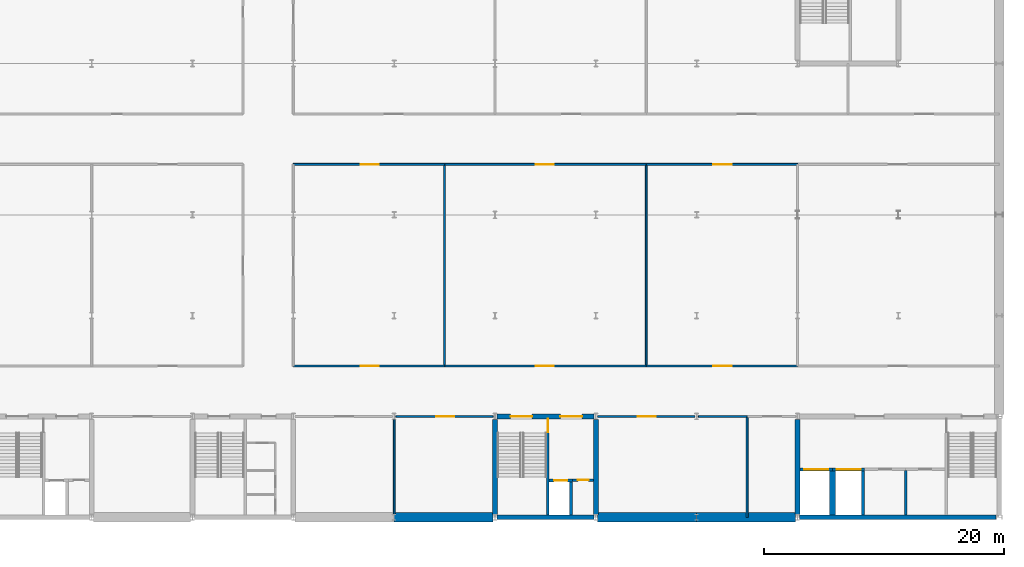
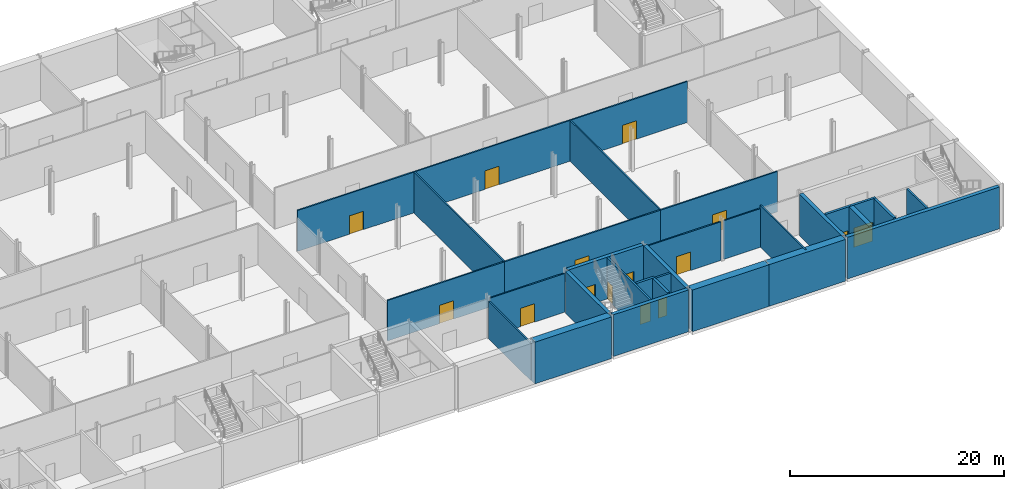
# One storey, part 14 of 20: 31 walls, 15 doors, 15 openings.
"""IFC4 building model written with IfcOpenShell, lengths in metres."""

from ifc_helpers import new_model, si_unit, direction, frame, frame_2d, origin, place, context, subcontext, project, spatial, rectangle, extrude, material, layer, layer_set, type_object, element, fill, save


model = new_model("IFC4")

# Units and contexts
model_context = context("Model", 3, precision=1e-05, world=origin(), true_north=direction((0.0, 1.0)))
body_context = subcontext(model_context, "Body", "Model", "MODEL_VIEW")
ifc_project = project(units=[si_unit("LENGTHUNIT", "METRE"), si_unit("AREAUNIT", "SQUARE_METRE"), si_unit("VOLUMEUNIT", "CUBIC_METRE"), si_unit("PLANEANGLEUNIT", "RADIAN"), si_unit("MASSUNIT", "GRAM", prefix="KILO")], contexts=[model_context])

# Site, building, storey
site_placement = place(None, origin())
site = spatial("IfcSite", under=ifc_project, at=site_placement, CompositionType="ELEMENT")
building_placement = place(site_placement, origin())
building = spatial("IfcBuilding", under=site, at=building_placement, Name="Galleria Vessillo Department Store", CompositionType="ELEMENT")
storey_placement = place(building_placement, frame((0.0, 0.0, -4.89990234375)))
storey = spatial("IfcBuildingStorey", under=building, at=storey_placement, Name="B1", CompositionType="ELEMENT", Elevation=-4.89990234375)

# Walls
ifc_material_1 = material(Name="Concrete C32/40 reinforced", Category="concrete")
ifc_layer_1 = layer(ifc_material_1, 0.800048828125)
ifc_layer_set_1 = layer_set([ifc_layer_1], Name="Concrete C32/40 reinforced")
wall_type_1 = type_object("IfcWallType", Name="Diaphragm wall 800 mm", PredefinedType="SOLIDWALL", material=ifc_layer_set_1)
wall_1_placement = place(storey_placement, frame((67.199951171875, 0.0, 0.0), z_axis=(0.0, 0.0, 1.0), x_axis=(1.0, 0.0, 0.0)))
element("IfcWall", 1, at=wall_1_placement, inside=storey, type_object=wall_type_1, Name="S-BW-S-B1-06", PredefinedType="SOLIDWALL", context=body_context, shape_type="SweptSolid", body=[
    extrude(rectangle(XDim=8.250244140625, YDim=0.800048828125, at=frame_2d((4.125, 0.0))), origin(), (0.0, 0.0, 1.0), 4.75),
])
wall_2_placement = place(storey_placement, frame((84.14990234375, 0.0, 0.0), z_axis=(0.0, 0.0, 1.0), x_axis=(1.0, 0.0, 0.0)))
element("IfcWall", 2, at=wall_2_placement, inside=storey, type_object=wall_type_1, Name="S-BW-S-B1-07", PredefinedType="SOLIDWALL", context=body_context, shape_type="SweptSolid", body=[
    extrude(rectangle(XDim=8.25, YDim=0.800048828125, at=frame_2d((4.125, 0.0))), origin(), (0.0, 0.0, 1.0), 4.75),
])
wall_3_placement = place(storey_placement, frame((92.39990234375, 0.0, 0.0), z_axis=(0.0, 0.0, 1.0), x_axis=(1.0, 0.0, 0.0)))
element("IfcWall", 3, at=wall_3_placement, inside=storey, type_object=wall_type_1, Name="S-BW-S-B1-08", PredefinedType="SOLIDWALL", context=body_context, shape_type="SweptSolid", body=[
    extrude(rectangle(XDim=8.250244140625, YDim=0.800048828125, at=frame_2d((4.125, 0.0))), origin(), (0.0, 0.0, 1.0), 4.75),
])
ifc_material_2 = material(Name="Solid clay block masonry", Category="masonry")
ifc_layer_2 = layer(ifc_material_2, 0.5)
ifc_layer_set_2 = layer_set([ifc_layer_2], Name="Solid clay block masonry")
wall_type_2 = type_object("IfcWallType", Name="Lift shaft partition wall 500 mm", PredefinedType="SOLIDWALL", material=ifc_layer_set_2)
wall_4_placement = place(storey_placement, frame((103.699951171875, 0.199951171875, 0.0), z_axis=(0.0, 0.0, 1.0), x_axis=(0.0, 1.0, 0.0)))
element("IfcWall", 4, at=wall_4_placement, inside=storey, type_object=wall_type_2, Name="Lift shaft partition wall GL1 B1", PredefinedType="SOLIDWALL", context=body_context, shape_type="SweptSolid", body=[
    extrude(rectangle(XDim=3.650146484375, YDim=0.5, at=frame_2d((1.8251953125, 0.0))), origin(), (0.0, 0.0, 1.0), 4.89990234375),
])

# Wall, opening, door
ifc_material_3 = material(Name="Solid clay block masonry", Category="masonry")
ifc_layer_3 = layer(ifc_material_3, 0.25)
ifc_layer_set_3 = layer_set([ifc_layer_3], Name="Solid clay block masonry")
wall_type_3 = type_object("IfcWallType", Name="Lift shaft wall 250 mm", PredefinedType="SOLIDWALL", material=ifc_layer_set_3)
wall_5_placement = place(storey_placement, frame((80.10009765625, 3.074951171875, 0.0), z_axis=(0.0, 0.0, 1.0), x_axis=(1.0, 0.0, 0.0)))
wall_5 = element("IfcWall", 5, at=wall_5_placement, inside=storey, type_object=wall_type_3, Name="Lift shaft wall LP5 landing side B1", PredefinedType="SOLIDWALL", context=body_context, shape_type="SweptSolid", body=[
    extrude(rectangle(XDim=1.949951171875, YDim=0.25, at=frame_2d((0.97509765625, 0.0))), origin(), (0.0, 0.0, 1.0), 4.89990234375),
])
opening_1_placement = place(wall_5_placement, frame((0.4248046875, 0.0, 0.0)))
opening_1 = element("IfcOpeningElement", 6, at=opening_1_placement, cuts=wall_5, Name="Opening LD034", PredefinedType="OPENING", context=body_context, shape_type="SweptSolid", body=[
    extrude(rectangle(XDim=1.10009765625, YDim=2.10009765625, at=frame_2d((0.550048828125, 1.050048828125))), frame((0.0, 0.135009765625, 0.0), z_axis=(0.0, -1.0, 0.0), x_axis=(1.0, 0.0, 0.0)), (0.0, 0.0, 1.0), 0.27001953125),
])
ifc_material_4 = material(Name="Stainless steel lift door panel", Category="steel")
door_type_1 = type_object("IfcDoorType", Name="Lift landing door LD110 sliding 1100 x 2100", OperationType="SLIDING_TO_LEFT", PredefinedType="DOOR", material=ifc_material_4)
door_1_placement = place(opening_1_placement, origin())
door_1 = element("IfcDoor", 7, at=door_1_placement, inside=storey, type_object=door_type_1, Name="Lift landing door LP5 B1", OperationType="SLIDING_TO_LEFT", OverallHeight=2.10009765625, OverallWidth=1.10009765625, PredefinedType="DOOR", context=body_context, shape_type="SweptSolid", body=[
    extrude(rectangle(XDim=1.10009765625, YDim=2.10009765625, at=frame_2d((0.550048828125, 1.050048828125))), frame((0.0, 0.02490234375, 0.0), z_axis=(0.0, -1.0, 0.0), x_axis=(1.0, 0.0, 0.0)), (0.0, 0.0, 1.0), 0.050048828125),
])
fill(opening_1, door_1)

# Wall
wall_6_placement = place(storey_placement, frame((81.925048828125, 0.199951171875, 0.0), z_axis=(0.0, 0.0, 1.0), x_axis=(0.0, 1.0, 0.0)))
element("IfcWall", 8, at=wall_6_placement, inside=storey, type_object=wall_type_3, Name="Lift shaft wall LP5 B1", PredefinedType="SOLIDWALL", context=body_context, shape_type="SweptSolid", body=[
    extrude(rectangle(XDim=2.75, YDim=0.25, at=frame_2d((1.375, 0.0))), origin(), (0.0, 0.0, 1.0), 4.89990234375),
])

# Wall, opening, door
wall_7_placement = place(storey_placement, frame((101.0, 3.97509765625, 0.0), z_axis=(0.0, 0.0, 1.0), x_axis=(1.0, 0.0, 0.0)))
wall_7 = element("IfcWall", 9, at=wall_7_placement, inside=storey, type_object=wall_type_3, Name="Lift shaft wall GL1 landing side B1", PredefinedType="SOLIDWALL", context=body_context, shape_type="SweptSolid", body=[
    extrude(rectangle(XDim=2.699951171875, YDim=0.25, at=frame_2d((1.35009765625, 0.0))), origin(), (0.0, 0.0, 1.0), 4.89990234375),
])
opening_2_placement = place(wall_7_placement, frame((0.35009765625, 0.0, 0.0)))
opening_2 = element("IfcOpeningElement", 10, at=opening_2_placement, cuts=wall_7, Name="Opening LD051", PredefinedType="OPENING", context=body_context, shape_type="SweptSolid", body=[
    extrude(rectangle(XDim=2.0, YDim=2.199951171875, at=frame_2d((1.0, 1.10009765625))), frame((0.0, 0.135009765625, 0.0), z_axis=(0.0, -1.0, 0.0), x_axis=(1.0, 0.0, 0.0)), (0.0, 0.0, 1.0), 0.27001953125),
])
ifc_material_5 = material(Name="Stainless steel lift door panel", Category="steel")
door_type_2 = type_object("IfcDoorType", Name="Lift landing door LD200 sliding 2000 x 2200", OperationType="DOUBLE_DOOR_SLIDING", PredefinedType="DOOR", material=ifc_material_5)
door_2_placement = place(opening_2_placement, origin())
door_2 = element("IfcDoor", 11, at=door_2_placement, inside=storey, type_object=door_type_2, Name="Lift landing door GL1 B1", OperationType="DOUBLE_DOOR_SLIDING", OverallHeight=2.199951171875, OverallWidth=2.0, PredefinedType="DOOR", context=body_context, shape_type="SweptSolid", body=[
    extrude(rectangle(XDim=2.0, YDim=2.199951171875, at=frame_2d((1.0, 1.10009765625))), frame((0.0, 0.02490234375, 0.0), z_axis=(0.0, -1.0, 0.0), x_axis=(1.0, 0.0, 0.0)), (0.0, 0.0, 1.0), 0.050048828125),
])
fill(opening_2, door_2)

wall_8_placement = place(storey_placement, frame((103.699951171875, 3.97509765625, 0.0), z_axis=(0.0, 0.0, 1.0), x_axis=(1.0, 0.0, 0.0)))
wall_8 = element("IfcWall", 12, at=wall_8_placement, inside=storey, type_object=wall_type_3, Name="Lift shaft wall GL2 landing side B1", PredefinedType="SOLIDWALL", context=body_context, shape_type="SweptSolid", body=[
    extrude(rectangle(XDim=2.699951171875, YDim=0.25, at=frame_2d((1.35009765625, 0.0))), origin(), (0.0, 0.0, 1.0), 4.89990234375),
])
opening_3_placement = place(wall_8_placement, frame((0.35009765625, 0.0, 0.0)))
opening_3 = element("IfcOpeningElement", 13, at=opening_3_placement, cuts=wall_8, Name="Opening LD052", PredefinedType="OPENING", context=body_context, shape_type="SweptSolid", body=[
    extrude(rectangle(XDim=2.0, YDim=2.199951171875, at=frame_2d((1.0, 1.10009765625))), frame((0.0, 0.135009765625, 0.0), z_axis=(0.0, -1.0, 0.0), x_axis=(1.0, 0.0, 0.0)), (0.0, 0.0, 1.0), 0.27001953125),
])
door_3_placement = place(opening_3_placement, origin())
door_3 = element("IfcDoor", 14, at=door_3_placement, inside=storey, type_object=door_type_2, Name="Lift landing door GL2 B1", OperationType="DOUBLE_DOOR_SLIDING", OverallHeight=2.199951171875, OverallWidth=2.0, PredefinedType="DOOR", context=body_context, shape_type="SweptSolid", body=[
    extrude(rectangle(XDim=2.0, YDim=2.199951171875, at=frame_2d((1.0, 1.10009765625))), frame((0.0, 0.02490234375, 0.0), z_axis=(0.0, -1.0, 0.0), x_axis=(1.0, 0.0, 0.0)), (0.0, 0.0, 1.0), 0.050048828125),
])
fill(opening_3, door_3)

# Wall
wall_9_placement = place(storey_placement, frame((106.27490234375, 0.199951171875, 0.0), z_axis=(0.0, 0.0, 1.0), x_axis=(0.0, 1.0, 0.0)))
element("IfcWall", 15, at=wall_9_placement, inside=storey, type_object=wall_type_3, Name="Lift shaft wall GL2 B1", PredefinedType="SOLIDWALL", context=body_context, shape_type="SweptSolid", body=[
    extrude(rectangle(XDim=3.650146484375, YDim=0.25, at=frame_2d((1.8251953125, 0.0))), origin(), (0.0, 0.0, 1.0), 4.89990234375),
])

# Wall, openings, doors
ifc_material_6 = material(Name="Concrete C32/40 reinforced", Category="concrete")
ifc_layer_4 = layer(ifc_material_6, 0.39990234375)
ifc_layer_set_4 = layer_set([ifc_layer_4], Name="Concrete C32/40 reinforced")
wall_type_4 = type_object("IfcWallType", Name="Reinforced concrete core wall 400 mm", PredefinedType="SHEAR", material=ifc_layer_set_4)
wall_10_placement = place(storey_placement, frame((75.75, 8.39990234375, 0.0), z_axis=(0.0, 0.0, 1.0), x_axis=(1.0, 0.0, 0.0)))
wall_10 = element("IfcWall", 16, at=wall_10_placement, inside=storey, type_object=wall_type_4, Name="S-CW-PC-SE-INTERIOR-B1", PredefinedType="SHEAR", context=body_context, shape_type="SweptSolid", body=[
    extrude(rectangle(XDim=8.10009765625, YDim=0.39990234375, at=frame_2d((4.050048828125, 0.0))), origin(), (0.0, 0.0, 1.0), 4.75),
])
opening_4_placement = place(wall_10_placement, frame((1.14990234375, 0.0, 0.0)))
opening_4 = element("IfcOpeningElement", 17, at=opening_4_placement, cuts=wall_10, Name="Opening D5133", PredefinedType="OPENING", context=body_context, shape_type="SweptSolid", body=[
    extrude(rectangle(XDim=1.800048828125, YDim=2.10009765625, at=frame_2d((0.89990234375, 1.050048828125))), frame((0.0, 0.2099609375, 0.0), z_axis=(0.0, -1.0, 0.0), x_axis=(1.0, 0.0, 0.0)), (0.0, 0.0, 1.0), 0.419921875),
])
opening_5_placement = place(wall_10_placement, frame((5.2998046875, 0.0, 0.0)))
opening_5 = element("IfcOpeningElement", 18, at=opening_5_placement, cuts=wall_10, Name="Opening D5134", PredefinedType="OPENING", context=body_context, shape_type="SweptSolid", body=[
    extrude(rectangle(XDim=1.800048828125, YDim=2.10009765625, at=frame_2d((0.89990234375, 1.050048828125))), frame((0.0, 0.2099609375, 0.0), z_axis=(0.0, -1.0, 0.0), x_axis=(1.0, 0.0, 0.0)), (0.0, 0.0, 1.0), 0.419921875),
])
ifc_material_7 = material(Name="Fire-rated steel door leaf", Category="steel")
door_type_3 = type_object("IfcDoorType", Name="Door D180F double leaf 1800 x 2100", OperationType="DOUBLE_DOOR_SINGLE_SWING", PredefinedType="DOOR", material=ifc_material_7)
door_4_placement = place(opening_4_placement, frame((1.800048828125, 0.0, 0.0), z_axis=(0.0, 0.0, 1.0), x_axis=(-1.0, 0.0, 0.0)))
door_4 = element("IfcDoor", 19, at=door_4_placement, inside=storey, type_object=door_type_3, Name="Lobby door PC-SE-ST-FLOOR B1", OperationType="DOUBLE_DOOR_SINGLE_SWING", OverallHeight=2.10009765625, OverallWidth=1.800048828125, PredefinedType="DOOR", context=body_context, shape_type="SweptSolid", body=[
    extrude(rectangle(XDim=1.800048828125, YDim=2.10009765625, at=frame_2d((0.89990234375, 1.050048828125))), frame((0.0, 0.02490234375, 0.0), z_axis=(0.0, -1.0, 0.0), x_axis=(1.0, 0.0, 0.0)), (0.0, 0.0, 1.0), 0.050048828125),
])
fill(opening_4, door_4)
door_5_placement = place(opening_5_placement, origin())
door_5 = element("IfcDoor", 20, at=door_5_placement, inside=storey, type_object=door_type_3, Name="Lobby door PC-SE-LOBBY-FLOOR B1", OperationType="DOUBLE_DOOR_SINGLE_SWING", OverallHeight=2.10009765625, OverallWidth=1.800048828125, PredefinedType="DOOR", context=body_context, shape_type="SweptSolid", body=[
    extrude(rectangle(XDim=1.800048828125, YDim=2.10009765625, at=frame_2d((0.89990234375, 1.050048828125))), frame((0.0, 0.02490234375, 0.0), z_axis=(0.0, -1.0, 0.0), x_axis=(1.0, 0.0, 0.0)), (0.0, 0.0, 1.0), 0.050048828125),
])
fill(opening_5, door_5)

# Walls
for number, where, z_axis, x_axis, name in (
    (21, (75.60009765625, 0.25, 0.0), (0.0, 0.0, 1.0), (0.0, 1.0, 0.0), "S-CW-PC-SE-WEST-B1"),
    (22, (84.0, 0.25, 0.0), (0.0, 0.0, 1.0), (0.0, 1.0, 0.0), "S-CW-PC-SE-EAST-B1"),
    (23, (100.800048828125, 0.25, 0.0), (0.0, 0.0, 1.0), (0.0, 1.0, 0.0), "S-CW-GC-WEST-B1"),
):
    element("IfcWall", number, at=place(storey_placement, frame(where, z_axis=z_axis, x_axis=x_axis)), inside=storey, type_object=wall_type_4, Name=name, PredefinedType="SHEAR", context=body_context, shape_type="SweptSolid", body=[
        extrude(rectangle(XDim=7.89990234375, YDim=0.39990234375, at=frame_2d((3.949951171875, 0.0))), origin(), (0.0, 0.0, 1.0), 4.75),
    ])
ifc_material_8 = material(Name="Concrete C32/40 reinforced", Category="concrete")
ifc_layer_5 = layer(ifc_material_8, 0.39990234375)
ifc_layer_set_5 = layer_set([ifc_layer_5], Name="Concrete C32/40 reinforced")
wall_type_5 = type_object("IfcWallType", Name="Reinforced concrete core wall 400 mm, external", PredefinedType="SHEAR", material=ifc_layer_set_5)
wall_11_placement = place(storey_placement, frame((75.75, 0.0, 0.0), z_axis=(0.0, 0.0, 1.0), x_axis=(1.0, 0.0, 0.0)))
element("IfcWall", 24, at=wall_11_placement, inside=storey, type_object=wall_type_5, Name="S-CW-PC-SE-PARTY-B1", PredefinedType="SHEAR", context=body_context, shape_type="SweptSolid", body=[
    extrude(rectangle(XDim=8.10009765625, YDim=0.39990234375, at=frame_2d((4.050048828125, 0.0))), origin(), (0.0, 0.0, 1.0), 4.75),
])
wall_12_placement = place(storey_placement, frame((100.949951171875, 0.0, 0.0), z_axis=(0.0, 0.0, 1.0), x_axis=(1.0, 0.0, 0.0)))
element("IfcWall", 25, at=wall_12_placement, inside=storey, type_object=wall_type_5, Name="S-CW-GC-PARTY-B1", PredefinedType="SHEAR", context=body_context, shape_type="SweptSolid", body=[
    extrude(rectangle(XDim=16.400146484375, YDim=0.39990234375, at=frame_2d((8.2001953125, 0.0))), origin(), (0.0, 0.0, 1.0), 4.75),
])

# Wall, opening, door
ifc_material_9 = material(Name="Concrete C32/40 reinforced", Category="concrete")
ifc_layer_6 = layer(ifc_material_9, 0.199951171875)
ifc_layer_set_6 = layer_set([ifc_layer_6], Name="Concrete C32/40 reinforced")
wall_type_6 = type_object("IfcWallType", Name="Reinforced concrete stair enclosure wall 200 mm", PredefinedType="SHEAR", material=ifc_layer_set_6)
wall_13_placement = place(storey_placement, frame((80.0, 0.199951171875, 0.0), z_axis=(0.0, 0.0, 1.0), x_axis=(0.0, 1.0, 0.0)))
wall_13 = element("IfcWall", 26, at=wall_13_placement, inside=storey, type_object=wall_type_6, Name="Stair enclosure wall PC-SE B1", PredefinedType="SHEAR", context=body_context, shape_type="SweptSolid", body=[
    extrude(rectangle(XDim=8.0, YDim=0.199951171875, at=frame_2d((4.0, 0.0))), origin(), (0.0, 0.0, 1.0), 4.75),
])
opening_6_placement = place(wall_13_placement, frame((6.89990234375, 0.0, 0.0)))
opening_6 = element("IfcOpeningElement", 27, at=opening_6_placement, cuts=wall_13, Name="Opening D5131", PredefinedType="OPENING", context=body_context, shape_type="SweptSolid", body=[
    extrude(rectangle(XDim=1.11009765625, YDim=2.10009765625, at=frame_2d((0.554931640625, 1.050048828125))), frame((0.0, 0.10986328125, 0.0), z_axis=(0.0, -1.0, 0.0), x_axis=(1.0, 0.0, 0.0)), (0.0, 0.0, 1.0), 0.219970703125),
])
ifc_material_10 = material(Name="Fire-rated steel door leaf", Category="steel")
door_type_4 = type_object("IfcDoorType", Name="Door D110F stair door 1100 x 2100", OperationType="SINGLE_SWING_LEFT", PredefinedType="DOOR", material=ifc_material_10)
door_6_placement = place(opening_6_placement, origin())
door_6 = element("IfcDoor", 28, at=door_6_placement, inside=storey, type_object=door_type_4, Name="Stair door PC-SE-ST-LOBBY B1", OperationType="SINGLE_SWING_RIGHT", OverallHeight=2.10009765625, OverallWidth=1.10009765625, PredefinedType="DOOR", context=body_context, shape_type="SweptSolid", body=[
    extrude(rectangle(XDim=1.10009765625, YDim=2.10009765625, at=frame_2d((0.550048828125, 1.050048828125))), frame((0.0, 0.02490234375, 0.0), z_axis=(0.0, -1.0, 0.0), x_axis=(1.0, 0.0, 0.0)), (0.0, 0.0, 1.0), 0.050048828125),
])
fill(opening_6, door_6)

ifc_material_11 = material(Name="Hollow clay block masonry", Category="masonry")
ifc_layer_7 = layer(ifc_material_11, 0.199951171875)
ifc_layer_set_7 = layer_set([ifc_layer_7], Name="Hollow clay block masonry")
wall_type_7 = type_object("IfcWallType", Name="Riser and service room wall 200 mm", PredefinedType="PARTITIONING", material=ifc_layer_set_7)
wall_14_placement = place(storey_placement, frame((82.050048828125, 3.099853515625, 0.0), z_axis=(0.0, 0.0, 1.0), x_axis=(1.0, 0.0, 0.0)))
wall_14 = element("IfcWall", 29, at=wall_14_placement, inside=storey, type_object=wall_type_7, Name="Riser wall PC-SE-RISER B1", PredefinedType="PARTITIONING", context=body_context, shape_type="SweptSolid", body=[
    extrude(rectangle(XDim=1.75, YDim=0.199951171875, at=frame_2d((0.875, 0.0))), origin(), (0.0, 0.0, 1.0), 4.75),
])
opening_7_placement = place(wall_14_placement, frame((0.449951171875, 0.0, 0.0)))
opening_7 = element("IfcOpeningElement", 30, at=opening_7_placement, cuts=wall_14, Name="Opening D5132", PredefinedType="OPENING", context=body_context, shape_type="SweptSolid", body=[
    extrude(rectangle(XDim=0.89990234375, YDim=2.10009765625, at=frame_2d((0.449951171875, 1.050048828125))), frame((0.0, 0.10986328125, 0.0), z_axis=(0.0, -1.0, 0.0), x_axis=(1.0, 0.0, 0.0)), (0.0, 0.0, 1.0), 0.219970703125),
])
ifc_material_12 = material(Name="Fire-rated steel door leaf", Category="steel")
door_type_5 = type_object("IfcDoorType", Name="Door DR90 riser access 900 x 2100", OperationType="SINGLE_SWING_LEFT", PredefinedType="DOOR", material=ifc_material_12)
door_7_placement = place(opening_7_placement, frame((0.89990234375, 0.0, 0.0), z_axis=(0.0, 0.0, 1.0), x_axis=(-1.0, 0.0, 0.0)))
door_7 = element("IfcDoor", 31, at=door_7_placement, inside=storey, type_object=door_type_5, Name="Riser door PC-SE-RISER-D B1", OperationType="SINGLE_SWING_LEFT", OverallHeight=2.10009765625, OverallWidth=0.89990234375, PredefinedType="DOOR", context=body_context, shape_type="SweptSolid", body=[
    extrude(rectangle(XDim=0.89990234375, YDim=2.10009765625, at=frame_2d((0.449951171875, 1.050048828125))), frame((0.0, 0.02490234375, 0.0), z_axis=(0.0, -1.0, 0.0), x_axis=(1.0, 0.0, 0.0)), (0.0, 0.0, 1.0), 0.050048828125),
])
fill(opening_7, door_7)

# Wall
wall_15_placement = place(storey_placement, frame((109.800048828125, 0.199951171875, 0.0), z_axis=(0.0, 0.0, 1.0), x_axis=(0.0, 1.0, 0.0)))
element("IfcWall", 32, at=wall_15_placement, inside=storey, type_object=wall_type_7, Name="Service room partition GC B1", PredefinedType="PARTITIONING", context=body_context, shape_type="SweptSolid", body=[
    extrude(rectangle(XDim=3.7001953125, YDim=0.199951171875, at=frame_2d((1.85009765625, 0.0))), origin(), (0.0, 0.0, 1.0), 4.75),
])

# Wall, opening, door
ifc_material_13 = material(Name="Concrete blockwork", Category="masonry")
ifc_layer_8 = layer(ifc_material_13, 0.14990234375)
ifc_layer_set_8 = layer_set([ifc_layer_8], Name="Concrete blockwork")
wall_type_8 = type_object("IfcWallType", Name="Stockroom blockwork wall 150 mm", PredefinedType="SOLIDWALL", material=ifc_layer_set_8)
wall_16_placement = place(storey_placement, frame((67.349853515625, 8.39990234375, 0.0), z_axis=(0.0, 0.0, 1.0), x_axis=(1.0, 0.0, 0.0)))
wall_16 = element("IfcWall", 33, at=wall_16_placement, inside=storey, type_object=wall_type_8, Name="Partition wall PT4 on B1 no. 019", PredefinedType="SOLIDWALL", context=body_context, shape_type="SweptSolid", body=[
    extrude(rectangle(XDim=8.100341796875, YDim=0.14990234375, at=frame_2d((4.05029296875, 0.0))), origin(), (0.0, 0.0, 1.0), 4.39990234375),
])
opening_8_placement = place(wall_16_placement, frame((3.35009765625, 0.0, 0.0)))
opening_8 = element("IfcOpeningElement", 34, at=opening_8_placement, cuts=wall_16, Name="Opening D2112", PredefinedType="OPENING", context=body_context, shape_type="SweptSolid", body=[
    extrude(rectangle(XDim=1.5, YDim=2.10009765625, at=frame_2d((0.75, 1.050048828125))), frame((0.0, 0.0849609375, 0.0), z_axis=(0.0, -1.0, 0.0), x_axis=(1.0, 0.0, 0.0)), (0.0, 0.0, 1.0), 0.169921875),
])
ifc_material_14 = material(Name="Steel fire door leaf", Category="steel")
door_type_6 = type_object("IfcDoorType", Name="Stockroom fire door 1500 double leaf", OperationType="DOUBLE_DOOR_SINGLE_SWING", PredefinedType="DOOR", material=ifc_material_14)
door_8_placement = place(opening_8_placement, frame((1.5, 0.0, 0.0), z_axis=(0.0, 0.0, 1.0), x_axis=(-1.0, 0.0, 0.0)))
door_8 = element("IfcDoor", 35, at=door_8_placement, inside=storey, type_object=door_type_6, Name="Door D2112", OperationType="DOUBLE_DOOR_SINGLE_SWING", OverallHeight=2.10009765625, OverallWidth=1.5, PredefinedType="DOOR", context=body_context, shape_type="SweptSolid", body=[
    extrude(rectangle(XDim=1.5, YDim=2.10009765625, at=frame_2d((0.75, 1.050048828125))), frame((0.0, 0.02490234375, 0.0), z_axis=(0.0, -1.0, 0.0), x_axis=(1.0, 0.0, 0.0)), (0.0, 0.0, 1.0), 0.050048828125),
])
fill(opening_8, door_8)

wall_17_placement = place(storey_placement, frame((84.14990234375, 8.39990234375, 0.0), z_axis=(0.0, 0.0, 1.0), x_axis=(1.0, 0.0, 0.0)))
wall_17 = element("IfcWall", 36, at=wall_17_placement, inside=storey, type_object=wall_type_8, Name="Partition wall PT4 on B1 no. 020", PredefinedType="SOLIDWALL", context=body_context, shape_type="SweptSolid", body=[
    extrude(rectangle(XDim=8.10009765625, YDim=0.14990234375, at=frame_2d((4.050048828125, 0.0))), origin(), (0.0, 0.0, 1.0), 4.39990234375),
])
opening_9_placement = place(wall_17_placement, frame((3.35009765625, 0.0, 0.0)))
opening_9 = element("IfcOpeningElement", 37, at=opening_9_placement, cuts=wall_17, Name="Opening D2113", PredefinedType="OPENING", context=body_context, shape_type="SweptSolid", body=[
    extrude(rectangle(XDim=1.5, YDim=2.10009765625, at=frame_2d((0.75, 1.050048828125))), frame((0.0, 0.0849609375, 0.0), z_axis=(0.0, -1.0, 0.0), x_axis=(1.0, 0.0, 0.0)), (0.0, 0.0, 1.0), 0.169921875),
])
door_9_placement = place(opening_9_placement, frame((1.5, 0.0, 0.0), z_axis=(0.0, 0.0, 1.0), x_axis=(-1.0, 0.0, 0.0)))
door_9 = element("IfcDoor", 38, at=door_9_placement, inside=storey, type_object=door_type_6, Name="Door D2113", OperationType="DOUBLE_DOOR_SINGLE_SWING", OverallHeight=2.10009765625, OverallWidth=1.5, PredefinedType="DOOR", context=body_context, shape_type="SweptSolid", body=[
    extrude(rectangle(XDim=1.5, YDim=2.10009765625, at=frame_2d((0.75, 1.050048828125))), frame((0.0, 0.02490234375, 0.0), z_axis=(0.0, -1.0, 0.0), x_axis=(1.0, 0.0, 0.0)), (0.0, 0.0, 1.0), 0.050048828125),
])
fill(opening_9, door_9)

# Wall
wall_18_placement = place(storey_placement, frame((92.5498046875, 8.39990234375, 0.0), z_axis=(0.0, 0.0, 1.0), x_axis=(1.0, 0.0, 0.0)))
element("IfcWall", 39, at=wall_18_placement, inside=storey, type_object=wall_type_8, Name="Partition wall PT4 on B1 no. 021", PredefinedType="SOLIDWALL", context=body_context, shape_type="SweptSolid", body=[
    extrude(rectangle(XDim=4.05029296875, YDim=0.14990234375, at=frame_2d((2.025146484375, 0.0))), origin(), (0.0, 0.0, 1.0), 4.39990234375),
])

# Wall, opening, door
wall_19_placement = place(storey_placement, frame((58.800048828125, 12.60009765625, 0.0), z_axis=(0.0, 0.0, 1.0), x_axis=(1.0, 0.0, 0.0)))
wall_19 = element("IfcWall", 40, at=wall_19_placement, inside=storey, type_object=wall_type_8, Name="Partition wall PT4 on B1 no. 027", PredefinedType="SOLIDWALL", context=body_context, shape_type="SweptSolid", body=[
    extrude(rectangle(XDim=12.599853515625, YDim=0.14990234375, at=frame_2d((6.2998046875, 0.0))), origin(), (0.0, 0.0, 1.0), 4.599853515625),
])
opening_10_placement = place(wall_19_placement, frame((5.60009765625, 0.0, 0.0)))
opening_10 = element("IfcOpeningElement", 41, at=opening_10_placement, cuts=wall_19, Name="Opening D2119", PredefinedType="OPENING", context=body_context, shape_type="SweptSolid", body=[
    extrude(rectangle(XDim=1.5, YDim=2.10009765625, at=frame_2d((0.75, 1.050048828125))), frame((0.0, 0.0849609375, 0.0), z_axis=(0.0, -1.0, 0.0), x_axis=(1.0, 0.0, 0.0)), (0.0, 0.0, 1.0), 0.169921875),
])
door_10_placement = place(opening_10_placement, origin())
door_10 = element("IfcDoor", 42, at=door_10_placement, inside=storey, type_object=door_type_6, Name="Door D2119", OperationType="DOUBLE_DOOR_SINGLE_SWING", OverallHeight=2.10009765625, OverallWidth=1.5, PredefinedType="DOOR", context=body_context, shape_type="SweptSolid", body=[
    extrude(rectangle(XDim=1.5, YDim=2.10009765625, at=frame_2d((0.75, 1.050048828125))), frame((0.0, 0.02490234375, 0.0), z_axis=(0.0, -1.0, 0.0), x_axis=(1.0, 0.0, 0.0)), (0.0, 0.0, 1.0), 0.050048828125),
])
fill(opening_10, door_10)

wall_20_placement = place(storey_placement, frame((71.39990234375, 12.60009765625, 0.0), z_axis=(0.0, 0.0, 1.0), x_axis=(1.0, 0.0, 0.0)))
wall_20 = element("IfcWall", 43, at=wall_20_placement, inside=storey, type_object=wall_type_8, Name="Partition wall PT4 on B1 no. 028", PredefinedType="SOLIDWALL", context=body_context, shape_type="SweptSolid", body=[
    extrude(rectangle(XDim=16.800048828125, YDim=0.14990234375, at=frame_2d((8.39990234375, 0.0))), origin(), (0.0, 0.0, 1.0), 4.599853515625),
])
opening_11_placement = place(wall_20_placement, frame((7.60009765625, 0.0, 0.0)))
opening_11 = element("IfcOpeningElement", 44, at=opening_11_placement, cuts=wall_20, Name="Opening D2120", PredefinedType="OPENING", context=body_context, shape_type="SweptSolid", body=[
    extrude(rectangle(XDim=1.5, YDim=2.10009765625, at=frame_2d((0.75, 1.050048828125))), frame((0.0, 0.0849609375, 0.0), z_axis=(0.0, -1.0, 0.0), x_axis=(1.0, 0.0, 0.0)), (0.0, 0.0, 1.0), 0.169921875),
])
door_11_placement = place(opening_11_placement, origin())
door_11 = element("IfcDoor", 45, at=door_11_placement, inside=storey, type_object=door_type_6, Name="Door D2120", OperationType="DOUBLE_DOOR_SINGLE_SWING", OverallHeight=2.10009765625, OverallWidth=1.5, PredefinedType="DOOR", context=body_context, shape_type="SweptSolid", body=[
    extrude(rectangle(XDim=1.5, YDim=2.10009765625, at=frame_2d((0.75, 1.050048828125))), frame((0.0, 0.02490234375, 0.0), z_axis=(0.0, -1.0, 0.0), x_axis=(1.0, 0.0, 0.0)), (0.0, 0.0, 1.0), 0.050048828125),
])
fill(opening_11, door_11)

wall_21_placement = place(storey_placement, frame((88.199951171875, 12.60009765625, 0.0), z_axis=(0.0, 0.0, 1.0), x_axis=(1.0, 0.0, 0.0)))
wall_21 = element("IfcWall", 46, at=wall_21_placement, inside=storey, type_object=wall_type_8, Name="Partition wall PT4 on B1 no. 029", PredefinedType="SOLIDWALL", context=body_context, shape_type="SweptSolid", body=[
    extrude(rectangle(XDim=12.60009765625, YDim=0.14990234375, at=frame_2d((6.300048828125, 0.0))), origin(), (0.0, 0.0, 1.0), 4.599853515625),
])
opening_12_placement = place(wall_21_placement, frame((5.60009765625, 0.0, 0.0)))
opening_12 = element("IfcOpeningElement", 47, at=opening_12_placement, cuts=wall_21, Name="Opening D2121", PredefinedType="OPENING", context=body_context, shape_type="SweptSolid", body=[
    extrude(rectangle(XDim=1.5, YDim=2.10009765625, at=frame_2d((0.75, 1.050048828125))), frame((0.0, 0.0849609375, 0.0), z_axis=(0.0, -1.0, 0.0), x_axis=(1.0, 0.0, 0.0)), (0.0, 0.0, 1.0), 0.169921875),
])
door_12_placement = place(opening_12_placement, origin())
door_12 = element("IfcDoor", 48, at=door_12_placement, inside=storey, type_object=door_type_6, Name="Door D2121", OperationType="DOUBLE_DOOR_SINGLE_SWING", OverallHeight=2.10009765625, OverallWidth=1.5, PredefinedType="DOOR", context=body_context, shape_type="SweptSolid", body=[
    extrude(rectangle(XDim=1.5, YDim=2.10009765625, at=frame_2d((0.75, 1.050048828125))), frame((0.0, 0.02490234375, 0.0), z_axis=(0.0, -1.0, 0.0), x_axis=(1.0, 0.0, 0.0)), (0.0, 0.0, 1.0), 0.050048828125),
])
fill(opening_12, door_12)

wall_22_placement = place(storey_placement, frame((58.800048828125, 29.39990234375, 0.0), z_axis=(0.0, 0.0, 1.0), x_axis=(1.0, 0.0, 0.0)))
wall_22 = element("IfcWall", 49, at=wall_22_placement, inside=storey, type_object=wall_type_8, Name="Partition wall PT4 on B1 no. 035", PredefinedType="SOLIDWALL", context=body_context, shape_type="SweptSolid", body=[
    extrude(rectangle(XDim=12.599853515625, YDim=0.14990234375, at=frame_2d((6.2998046875, 0.0))), origin(), (0.0, 0.0, 1.0), 4.64990234375),
])
opening_13_placement = place(wall_22_placement, frame((5.60009765625, 0.0, 0.0)))
opening_13 = element("IfcOpeningElement", 50, at=opening_13_placement, cuts=wall_22, Name="Opening D2127", PredefinedType="OPENING", context=body_context, shape_type="SweptSolid", body=[
    extrude(rectangle(XDim=1.5, YDim=2.10009765625, at=frame_2d((0.75, 1.050048828125))), frame((0.0, 0.0849609375, 0.0), z_axis=(0.0, -1.0, 0.0), x_axis=(1.0, 0.0, 0.0)), (0.0, 0.0, 1.0), 0.169921875),
])
door_13_placement = place(opening_13_placement, frame((1.5, 0.0, 0.0), z_axis=(0.0, 0.0, 1.0), x_axis=(-1.0, 0.0, 0.0)))
door_13 = element("IfcDoor", 51, at=door_13_placement, inside=storey, type_object=door_type_6, Name="Door D2127", OperationType="DOUBLE_DOOR_SINGLE_SWING", OverallHeight=2.10009765625, OverallWidth=1.5, PredefinedType="DOOR", context=body_context, shape_type="SweptSolid", body=[
    extrude(rectangle(XDim=1.5, YDim=2.10009765625, at=frame_2d((0.75, 1.050048828125))), frame((0.0, 0.02490234375, 0.0), z_axis=(0.0, -1.0, 0.0), x_axis=(1.0, 0.0, 0.0)), (0.0, 0.0, 1.0), 0.050048828125),
])
fill(opening_13, door_13)

wall_23_placement = place(storey_placement, frame((71.39990234375, 29.39990234375, 0.0), z_axis=(0.0, 0.0, 1.0), x_axis=(1.0, 0.0, 0.0)))
wall_23 = element("IfcWall", 52, at=wall_23_placement, inside=storey, type_object=wall_type_8, Name="Partition wall PT4 on B1 no. 036", PredefinedType="SOLIDWALL", context=body_context, shape_type="SweptSolid", body=[
    extrude(rectangle(XDim=16.800048828125, YDim=0.14990234375, at=frame_2d((8.39990234375, 0.0))), origin(), (0.0, 0.0, 1.0), 4.64990234375),
])
opening_14_placement = place(wall_23_placement, frame((7.60009765625, 0.0, 0.0)))
opening_14 = element("IfcOpeningElement", 53, at=opening_14_placement, cuts=wall_23, Name="Opening D2128", PredefinedType="OPENING", context=body_context, shape_type="SweptSolid", body=[
    extrude(rectangle(XDim=1.5, YDim=2.10009765625, at=frame_2d((0.75, 1.050048828125))), frame((0.0, 0.0849609375, 0.0), z_axis=(0.0, -1.0, 0.0), x_axis=(1.0, 0.0, 0.0)), (0.0, 0.0, 1.0), 0.169921875),
])
door_14_placement = place(opening_14_placement, frame((1.5, 0.0, 0.0), z_axis=(0.0, 0.0, 1.0), x_axis=(-1.0, 0.0, 0.0)))
door_14 = element("IfcDoor", 54, at=door_14_placement, inside=storey, type_object=door_type_6, Name="Door D2128", OperationType="DOUBLE_DOOR_SINGLE_SWING", OverallHeight=2.10009765625, OverallWidth=1.5, PredefinedType="DOOR", context=body_context, shape_type="SweptSolid", body=[
    extrude(rectangle(XDim=1.5, YDim=2.10009765625, at=frame_2d((0.75, 1.050048828125))), frame((0.0, 0.02490234375, 0.0), z_axis=(0.0, -1.0, 0.0), x_axis=(1.0, 0.0, 0.0)), (0.0, 0.0, 1.0), 0.050048828125),
])
fill(opening_14, door_14)

wall_24_placement = place(storey_placement, frame((88.199951171875, 29.39990234375, 0.0), z_axis=(0.0, 0.0, 1.0), x_axis=(1.0, 0.0, 0.0)))
wall_24 = element("IfcWall", 55, at=wall_24_placement, inside=storey, type_object=wall_type_8, Name="Partition wall PT4 on B1 no. 037", PredefinedType="SOLIDWALL", context=body_context, shape_type="SweptSolid", body=[
    extrude(rectangle(XDim=12.60009765625, YDim=0.14990234375, at=frame_2d((6.300048828125, 0.0))), origin(), (0.0, 0.0, 1.0), 4.64990234375),
])
opening_15_placement = place(wall_24_placement, frame((5.60009765625, 0.0, 0.0)))
opening_15 = element("IfcOpeningElement", 56, at=opening_15_placement, cuts=wall_24, Name="Opening D2129", PredefinedType="OPENING", context=body_context, shape_type="SweptSolid", body=[
    extrude(rectangle(XDim=1.5, YDim=2.10009765625, at=frame_2d((0.75, 1.050048828125))), frame((0.0, 0.0849609375, 0.0), z_axis=(0.0, -1.0, 0.0), x_axis=(1.0, 0.0, 0.0)), (0.0, 0.0, 1.0), 0.169921875),
])
door_15_placement = place(opening_15_placement, frame((1.5, 0.0, 0.0), z_axis=(0.0, 0.0, 1.0), x_axis=(-1.0, 0.0, 0.0)))
door_15 = element("IfcDoor", 57, at=door_15_placement, inside=storey, type_object=door_type_6, Name="Door D2129", OperationType="DOUBLE_DOOR_SINGLE_SWING", OverallHeight=2.10009765625, OverallWidth=1.5, PredefinedType="DOOR", context=body_context, shape_type="SweptSolid", body=[
    extrude(rectangle(XDim=1.5, YDim=2.10009765625, at=frame_2d((0.75, 1.050048828125))), frame((0.0, 0.02490234375, 0.0), z_axis=(0.0, -1.0, 0.0), x_axis=(1.0, 0.0, 0.0)), (0.0, 0.0, 1.0), 0.050048828125),
])
fill(opening_15, door_15)

# Walls
wall_25_placement = place(storey_placement, frame((67.199951171875, 0.25, 0.0), z_axis=(0.0, 0.0, 1.0), x_axis=(0.0, 1.0, 0.0)))
element("IfcWall", 58, at=wall_25_placement, inside=storey, type_object=wall_type_8, Name="Partition wall PT4 on B1 no. 074", PredefinedType="SOLIDWALL", context=body_context, shape_type="SweptSolid", body=[
    extrude(rectangle(XDim=7.89990234375, YDim=0.14990234375, at=frame_2d((3.949951171875, 0.0))), origin(), (0.0, 0.0, 1.0), 4.259765625),
])
wall_26_placement = place(storey_placement, frame((96.60009765625, 0.0, 0.0), z_axis=(0.0, 0.0, 1.0), x_axis=(0.0, 1.0, 0.0)))
element("IfcWall", 59, at=wall_26_placement, inside=storey, type_object=wall_type_8, Name="Partition wall PT4 on B1 no. 075", PredefinedType="SOLIDWALL", context=body_context, shape_type="SweptSolid", body=[
    extrude(rectangle(XDim=8.39990234375, YDim=0.14990234375, at=frame_2d((4.199951171875, 0.0))), origin(), (0.0, 0.0, 1.0), 4.75),
])
for number, where, z_axis, x_axis, name in (
    (60, (71.39990234375, 12.60009765625, 0.0), (0.0, 0.0, 1.0), (0.0, 1.0, 0.0), "Partition wall PT4 on B1 no. 085"),
    (61, (88.199951171875, 12.60009765625, 0.0), (0.0, 0.0, 1.0), (0.0, 1.0, 0.0), "Partition wall PT4 on B1 no. 086"),
):
    element("IfcWall", number, at=place(storey_placement, frame(where, z_axis=z_axis, x_axis=x_axis)), inside=storey, type_object=wall_type_8, Name=name, PredefinedType="SOLIDWALL", context=body_context, shape_type="SweptSolid", body=[
        extrude(rectangle(XDim=16.7998046875, YDim=0.14990234375, at=frame_2d((8.39990234375, 0.0))), origin(), (0.0, 0.0, 1.0), 4.64990234375),
    ])

save(model, "model.ifc")
